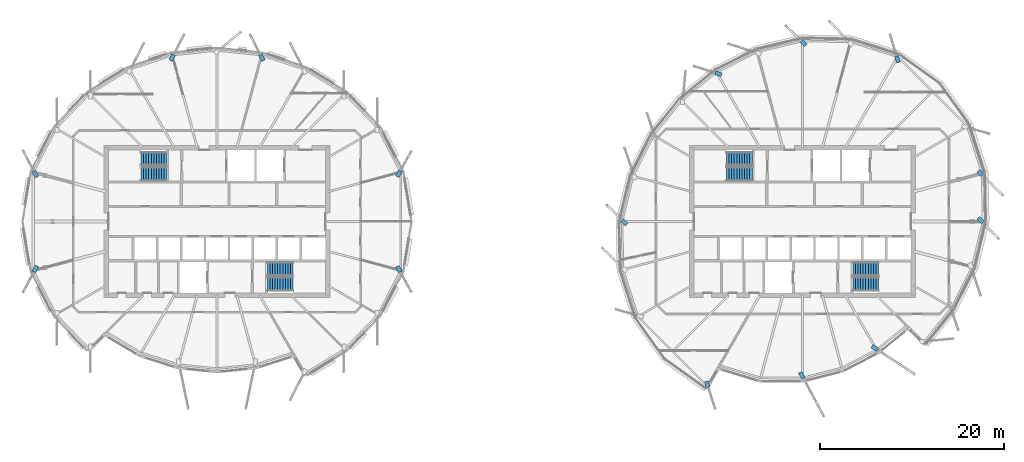
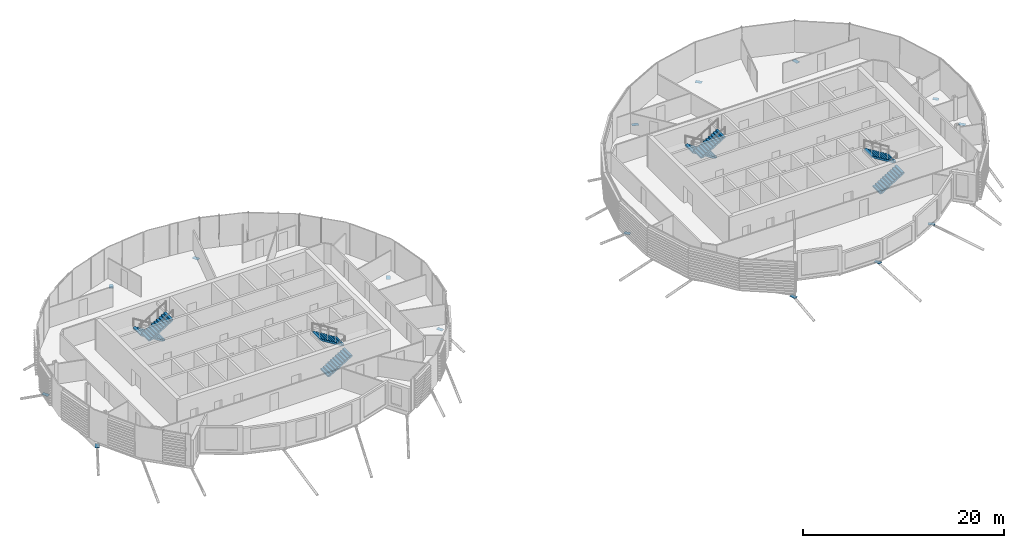
# One storey, part 23 of 38: 15 discrete accessories, 8 stair flights, 4 elements without a shape of their own.
"""IFC4 building model written with IfcOpenShell, lengths in metres."""

from ifc_helpers import new_model, si_unit, direction, frame, origin, origin_2d, place, context, subcontext, project, spatial, polyline, rectangle, outline, extrude, material, material_profile, profile_set, type_object, element, aggregate, save


model = new_model("IFC4")

# Units and contexts
model_context = context("Model", 3, precision=1e-05, world=origin(), true_north=direction((0.0, 1.0)))
body_context = subcontext(model_context, "Body", "Model", "MODEL_VIEW")
ifc_project = project(units=[si_unit("LENGTHUNIT", "METRE"), si_unit("AREAUNIT", "SQUARE_METRE"), si_unit("VOLUMEUNIT", "CUBIC_METRE"), si_unit("PLANEANGLEUNIT", "RADIAN"), si_unit("MASSUNIT", "GRAM", prefix="KILO")], contexts=[model_context])

# Site, building, storey
site_placement = place(None, origin())
site = spatial("IfcSite", under=ifc_project, at=site_placement, CompositionType="ELEMENT")
building_placement = place(site_placement, origin())
building = spatial("IfcBuilding", under=site, at=building_placement, Name="Rimbun Link Towers", CompositionType="ELEMENT")
storey_placement = place(building_placement, frame((0.0, 0.0, 218.10009765625)))
storey = spatial("IfcBuildingStorey", under=building, at=storey_placement, Name="L53", CompositionType="ELEMENT", Elevation=218.10009765625)

# Stair, stair flights
ifc_material_1 = material(Name="Concrete C40/50", Category="concrete")
stair_type = type_object("IfcStairType", Name="Exit stair 3800 rise", PredefinedType="HALF_TURN_STAIR", material=ifc_material_1)
stair_1_placement = place(storey_placement, origin())
stair_1 = element("IfcStair", 1, at=stair_1_placement, inside=storey, type_object=stair_type, Name="L53 EXIT STAIR A", PredefinedType="HALF_TURN_STAIR")
ifc_material_2 = material(Name="Concrete C40/50", Category="concrete")
stair_flight_type = type_object("IfcStairFlightType", Name="Exit stair flight 3800 rise", PredefinedType="STRAIGHT", material=ifc_material_2)
stair_flight_1_placement = place(storey_placement, frame((-37.199951171875, 6.800048828125, 0.0), z_axis=(0.0, 0.0, 1.0), x_axis=(-1.0, 0.0, 0.0)))
stair_flight_1 = element("IfcStairFlight", 2, at=stair_flight_1_placement, type_object=stair_flight_type, Name="ST1 flight 1", NumberOfRisers=11, NumberOfTreads=10, PredefinedType="STRAIGHT", RiserHeight=0.172727273, TreadLength=0.28, context=body_context, shape_type="SweptSolid", body=[
    extrude(outline(polyline([(0.0, 0.0), (0.0, 0.172607421875), (0.280029296875, 0.172607421875), (0.280029296875, 0.345458984375), (0.56005859375, 0.345458984375), (0.56005859375, 0.51806640625), (0.840087890625, 0.51806640625), (0.840087890625, 0.69091796875), (1.1201171875, 0.69091796875), (1.1201171875, 0.863525390625), (1.39990234375, 0.863525390625), (1.39990234375, 1.036376953125), (1.679931640625, 1.036376953125), (1.679931640625, 1.208984375), (1.9599609375, 1.208984375), (1.9599609375, 1.3818359375), (2.239990234375, 1.3818359375), (2.239990234375, 1.554443359375), (2.52001953125, 1.554443359375), (2.52001953125, 1.727294921875), (2.800048828125, 1.727294921875), (2.800048828125, 1.89990234375), (2.800048828125, 1.551025390625), (0.280029296875, 0.0), (0.0, 0.0)])), frame((0.0, 0.75, 0.0), z_axis=(0.0, -1.0, 0.0), x_axis=(1.0, 0.0, 0.0)), (0.0, 0.0, 1.0), 1.5),
])
stair_flight_2_placement = place(storey_placement, frame((-40.0, 5.14990234375, 1.89990234375), z_axis=(0.0, 0.0, 1.0), x_axis=(1.0, 0.0, 0.0)))
stair_flight_2 = element("IfcStairFlight", 3, at=stair_flight_2_placement, type_object=stair_flight_type, Name="ST1 flight 2", NumberOfRisers=11, NumberOfTreads=10, PredefinedType="STRAIGHT", RiserHeight=0.172727273, TreadLength=0.28, context=body_context, shape_type="SweptSolid", body=[
    extrude(outline(polyline([(0.0, 0.0), (0.0, 0.172607421875), (0.280029296875, 0.172607421875), (0.280029296875, 0.345458984375), (0.56005859375, 0.345458984375), (0.56005859375, 0.51806640625), (0.840087890625, 0.51806640625), (0.840087890625, 0.69091796875), (1.1201171875, 0.69091796875), (1.1201171875, 0.863525390625), (1.39990234375, 0.863525390625), (1.39990234375, 1.036376953125), (1.679931640625, 1.036376953125), (1.679931640625, 1.208984375), (1.9599609375, 1.208984375), (1.9599609375, 1.3818359375), (2.239990234375, 1.3818359375), (2.239990234375, 1.554443359375), (2.52001953125, 1.554443359375), (2.52001953125, 1.727294921875), (2.800048828125, 1.727294921875), (2.800048828125, 1.89990234375), (2.800048828125, 1.551025390625), (0.280029296875, 0.0), (0.0, 0.0)])), frame((0.0, 0.75, 0.0), z_axis=(0.0, -1.0, 0.0), x_axis=(1.0, 0.0, 0.0)), (0.0, 0.0, 1.0), 1.5),
])
aggregate(stair_1, [stair_flight_1, stair_flight_2])

stair_2_placement = place(storey_placement, origin())
stair_2 = element("IfcStair", 4, at=stair_2_placement, inside=storey, type_object=stair_type, Name="L53 EXIT STAIR B", PredefinedType="HALF_TURN_STAIR")
stair_flight_3_placement = place(storey_placement, frame((-26.300048828125, -6.800048828125, 0.0), z_axis=(0.0, 0.0, 1.0), x_axis=(1.0, 0.0, 0.0)))
stair_flight_3 = element("IfcStairFlight", 5, at=stair_flight_3_placement, type_object=stair_flight_type, Name="ST2 flight 1", NumberOfRisers=11, NumberOfTreads=10, PredefinedType="STRAIGHT", RiserHeight=0.172727273, TreadLength=0.28, context=body_context, shape_type="SweptSolid", body=[
    extrude(outline(polyline([(0.0, 0.0), (0.0, 0.172607421875), (0.280029296875, 0.172607421875), (0.280029296875, 0.345458984375), (0.56005859375, 0.345458984375), (0.56005859375, 0.51806640625), (0.840087890625, 0.51806640625), (0.840087890625, 0.69091796875), (1.1201171875, 0.69091796875), (1.1201171875, 0.863525390625), (1.39990234375, 0.863525390625), (1.39990234375, 1.036376953125), (1.679931640625, 1.036376953125), (1.679931640625, 1.208984375), (1.9599609375, 1.208984375), (1.9599609375, 1.3818359375), (2.239990234375, 1.3818359375), (2.239990234375, 1.554443359375), (2.52001953125, 1.554443359375), (2.52001953125, 1.727294921875), (2.800048828125, 1.727294921875), (2.800048828125, 1.89990234375), (2.800048828125, 1.551025390625), (0.280029296875, 0.0), (0.0, 0.0)])), frame((0.0, 0.75, 0.0), z_axis=(0.0, -1.0, 0.0), x_axis=(1.0, 0.0, 0.0)), (0.0, 0.0, 1.0), 1.5),
])
stair_flight_4_placement = place(storey_placement, frame((-23.5, -5.14990234375, 1.89990234375), z_axis=(0.0, 0.0, 1.0), x_axis=(-1.0, 0.0, 0.0)))
stair_flight_4 = element("IfcStairFlight", 6, at=stair_flight_4_placement, type_object=stair_flight_type, Name="ST2 flight 2", NumberOfRisers=11, NumberOfTreads=10, PredefinedType="STRAIGHT", RiserHeight=0.172727273, TreadLength=0.28, context=body_context, shape_type="SweptSolid", body=[
    extrude(outline(polyline([(0.0, 0.0), (0.0, 0.172607421875), (0.280029296875, 0.172607421875), (0.280029296875, 0.345458984375), (0.56005859375, 0.345458984375), (0.56005859375, 0.51806640625), (0.840087890625, 0.51806640625), (0.840087890625, 0.69091796875), (1.1201171875, 0.69091796875), (1.1201171875, 0.863525390625), (1.39990234375, 0.863525390625), (1.39990234375, 1.036376953125), (1.679931640625, 1.036376953125), (1.679931640625, 1.208984375), (1.9599609375, 1.208984375), (1.9599609375, 1.3818359375), (2.239990234375, 1.3818359375), (2.239990234375, 1.554443359375), (2.52001953125, 1.554443359375), (2.52001953125, 1.727294921875), (2.800048828125, 1.727294921875), (2.800048828125, 1.89990234375), (2.800048828125, 1.551025390625), (0.280029296875, 0.0), (0.0, 0.0)])), frame((0.0, 0.75, 0.0), z_axis=(0.0, -1.0, 0.0), x_axis=(1.0, 0.0, 0.0)), (0.0, 0.0, 1.0), 1.5),
])
aggregate(stair_2, [stair_flight_3, stair_flight_4])

stair_3_placement = place(storey_placement, origin())
stair_3 = element("IfcStair", 7, at=stair_3_placement, inside=storey, type_object=stair_type, Name="L53 EXIT STAIR A", PredefinedType="HALF_TURN_STAIR")
stair_flight_5_placement = place(storey_placement, frame((26.300048828125, 6.800048828125, 0.0), z_axis=(0.0, 0.0, 1.0), x_axis=(-1.0, 0.0, 0.0)))
stair_flight_5 = element("IfcStairFlight", 8, at=stair_flight_5_placement, type_object=stair_flight_type, Name="ST3 flight 1", NumberOfRisers=11, NumberOfTreads=10, PredefinedType="STRAIGHT", RiserHeight=0.172727273, TreadLength=0.28, context=body_context, shape_type="SweptSolid", body=[
    extrude(outline(polyline([(0.0, 0.0), (0.0, 0.172607421875), (0.280029296875, 0.172607421875), (0.280029296875, 0.345458984375), (0.56005859375, 0.345458984375), (0.56005859375, 0.51806640625), (0.840087890625, 0.51806640625), (0.840087890625, 0.69091796875), (1.1201171875, 0.69091796875), (1.1201171875, 0.863525390625), (1.39990234375, 0.863525390625), (1.39990234375, 1.036376953125), (1.679931640625, 1.036376953125), (1.679931640625, 1.208984375), (1.9599609375, 1.208984375), (1.9599609375, 1.3818359375), (2.239990234375, 1.3818359375), (2.239990234375, 1.554443359375), (2.52001953125, 1.554443359375), (2.52001953125, 1.727294921875), (2.800048828125, 1.727294921875), (2.800048828125, 1.89990234375), (2.800048828125, 1.551025390625), (0.280029296875, 0.0), (0.0, 0.0)])), frame((0.0, 0.75, 0.0), z_axis=(0.0, -1.0, 0.0), x_axis=(1.0, 0.0, 0.0)), (0.0, 0.0, 1.0), 1.5),
])
stair_flight_6_placement = place(storey_placement, frame((23.5, 5.14990234375, 1.89990234375), z_axis=(0.0, 0.0, 1.0), x_axis=(1.0, 0.0, 0.0)))
stair_flight_6 = element("IfcStairFlight", 9, at=stair_flight_6_placement, type_object=stair_flight_type, Name="ST3 flight 2", NumberOfRisers=11, NumberOfTreads=10, PredefinedType="STRAIGHT", RiserHeight=0.172727273, TreadLength=0.28, context=body_context, shape_type="SweptSolid", body=[
    extrude(outline(polyline([(0.0, 0.0), (0.0, 0.172607421875), (0.280029296875, 0.172607421875), (0.280029296875, 0.345458984375), (0.56005859375, 0.345458984375), (0.56005859375, 0.51806640625), (0.840087890625, 0.51806640625), (0.840087890625, 0.69091796875), (1.1201171875, 0.69091796875), (1.1201171875, 0.863525390625), (1.39990234375, 0.863525390625), (1.39990234375, 1.036376953125), (1.679931640625, 1.036376953125), (1.679931640625, 1.208984375), (1.9599609375, 1.208984375), (1.9599609375, 1.3818359375), (2.239990234375, 1.3818359375), (2.239990234375, 1.554443359375), (2.52001953125, 1.554443359375), (2.52001953125, 1.727294921875), (2.800048828125, 1.727294921875), (2.800048828125, 1.89990234375), (2.800048828125, 1.551025390625), (0.280029296875, 0.0), (0.0, 0.0)])), frame((0.0, 0.75, 0.0), z_axis=(0.0, -1.0, 0.0), x_axis=(1.0, 0.0, 0.0)), (0.0, 0.0, 1.0), 1.5),
])
aggregate(stair_3, [stair_flight_5, stair_flight_6])

stair_4_placement = place(storey_placement, origin())
stair_4 = element("IfcStair", 10, at=stair_4_placement, inside=storey, type_object=stair_type, Name="L53 EXIT STAIR B", PredefinedType="HALF_TURN_STAIR")
stair_flight_7_placement = place(storey_placement, frame((37.199951171875, -6.800048828125, 0.0), z_axis=(0.0, 0.0, 1.0), x_axis=(1.0, 0.0, 0.0)))
stair_flight_7 = element("IfcStairFlight", 11, at=stair_flight_7_placement, type_object=stair_flight_type, Name="ST4 flight 1", NumberOfRisers=11, NumberOfTreads=10, PredefinedType="STRAIGHT", RiserHeight=0.172727273, TreadLength=0.28, context=body_context, shape_type="SweptSolid", body=[
    extrude(outline(polyline([(0.0, 0.0), (0.0, 0.172607421875), (0.280029296875, 0.172607421875), (0.280029296875, 0.345458984375), (0.56005859375, 0.345458984375), (0.56005859375, 0.51806640625), (0.840087890625, 0.51806640625), (0.840087890625, 0.69091796875), (1.1201171875, 0.69091796875), (1.1201171875, 0.863525390625), (1.39990234375, 0.863525390625), (1.39990234375, 1.036376953125), (1.679931640625, 1.036376953125), (1.679931640625, 1.208984375), (1.9599609375, 1.208984375), (1.9599609375, 1.3818359375), (2.239990234375, 1.3818359375), (2.239990234375, 1.554443359375), (2.52001953125, 1.554443359375), (2.52001953125, 1.727294921875), (2.800048828125, 1.727294921875), (2.800048828125, 1.89990234375), (2.800048828125, 1.551025390625), (0.280029296875, 0.0), (0.0, 0.0)])), frame((0.0, 0.75, 0.0), z_axis=(0.0, -1.0, 0.0), x_axis=(1.0, 0.0, 0.0)), (0.0, 0.0, 1.0), 1.5),
])
stair_flight_8_placement = place(storey_placement, frame((40.0, -5.14990234375, 1.89990234375), z_axis=(0.0, 0.0, 1.0), x_axis=(-1.0, 0.0, 0.0)))
stair_flight_8 = element("IfcStairFlight", 12, at=stair_flight_8_placement, type_object=stair_flight_type, Name="ST4 flight 2", NumberOfRisers=11, NumberOfTreads=10, PredefinedType="STRAIGHT", RiserHeight=0.172727273, TreadLength=0.28, context=body_context, shape_type="SweptSolid", body=[
    extrude(outline(polyline([(0.0, 0.0), (0.0, 0.172607421875), (0.280029296875, 0.172607421875), (0.280029296875, 0.345458984375), (0.56005859375, 0.345458984375), (0.56005859375, 0.51806640625), (0.840087890625, 0.51806640625), (0.840087890625, 0.69091796875), (1.1201171875, 0.69091796875), (1.1201171875, 0.863525390625), (1.39990234375, 0.863525390625), (1.39990234375, 1.036376953125), (1.679931640625, 1.036376953125), (1.679931640625, 1.208984375), (1.9599609375, 1.208984375), (1.9599609375, 1.3818359375), (2.239990234375, 1.3818359375), (2.239990234375, 1.554443359375), (2.52001953125, 1.554443359375), (2.52001953125, 1.727294921875), (2.800048828125, 1.727294921875), (2.800048828125, 1.89990234375), (2.800048828125, 1.551025390625), (0.280029296875, 0.0), (0.0, 0.0)])), frame((0.0, 0.75, 0.0), z_axis=(0.0, -1.0, 0.0), x_axis=(1.0, 0.0, 0.0)), (0.0, 0.0, 1.0), 1.5),
])
aggregate(stair_4, [stair_flight_7, stair_flight_8])

# Discrete accessories
ifc_material_3 = material(Name="Steel S355J2H", Category="steel")
ifc_material_profile = material_profile(ifc_material_3, rectangle(XDim=0.43310546875, YDim=0.43310546875, at=origin_2d()), Name="PL 433x433")
ifc_profile_set = profile_set([ifc_material_profile], Name="Steel S355J2H")
discrete_accessory_type = type_object("IfcDiscreteAccessoryType", Name="Link head end plate 433X20", PredefinedType="BRACKET", material=ifc_profile_set)
discrete_accessory_1_placement = place(storey_placement, frame((0.0, 0.0, -0.613525390625)))
element("IfcDiscreteAccessory", 13, at=discrete_accessory_1_placement, inside=storey, type_object=discrete_accessory_type, Name="Link head end plate T1 L53 01", PredefinedType="BRACKET", context=body_context, shape_type="SweptSolid", body=[
    extrude(outline(polyline([(-12.01025390625, 4.7646484375), (-11.684814453125, 5.359619140625), (-12.064697265625, 5.5673828125), (-12.39013671875, 4.972412109375), (-12.01025390625, 4.7646484375)])), origin(), (0.0, 0.0, 1.0), 0.02001953125),
])
discrete_accessory_2_placement = place(storey_placement, frame((0.0, 0.0, -0.693115234375)))
element("IfcDiscreteAccessory", 14, at=discrete_accessory_2_placement, inside=storey, type_object=discrete_accessory_type, Name="Link head end plate T1 L53 05", PredefinedType="BRACKET", context=body_context, shape_type="SweptSolid", body=[
    extrude(outline(polyline([(-26.527587890625, 17.560302734375), (-26.843994140625, 18.170654296875), (-27.228271484375, 17.971435546875), (-26.912109375, 17.361083984375), (-26.527587890625, 17.560302734375)])), origin(), (0.0, 0.0, 1.0), 0.02001953125),
])
discrete_accessory_3_placement = place(storey_placement, frame((0.0, 0.0, -0.693115234375)))
element("IfcDiscreteAccessory", 15, at=discrete_accessory_3_placement, inside=storey, type_object=discrete_accessory_type, Name="Link head end plate T1 L53 07", PredefinedType="BRACKET", context=body_context, shape_type="SweptSolid", body=[
    extrude(outline(polyline([(-36.587890625, 17.361083984375), (-36.271728515625, 17.971435546875), (-36.656005859375, 18.170654296875), (-36.972412109375, 17.560302734375), (-36.587890625, 17.361083984375)])), origin(), (0.0, 0.0, 1.0), 0.02001953125),
])
discrete_accessory_4_placement = place(storey_placement, frame((0.0, 0.0, -1.000732421875)))
element("IfcDiscreteAccessory", 16, at=discrete_accessory_4_placement, inside=storey, type_object=discrete_accessory_type, Name="Link head end plate T1 L53 11", PredefinedType="BRACKET", context=body_context, shape_type="SweptSolid", body=[
    extrude(outline(polyline([(-51.0908203125, 4.91796875), (-51.429931640625, 5.563720703125), (-51.813232421875, 5.3623046875), (-51.47412109375, 4.716552734375), (-51.0908203125, 4.91796875)])), origin(), (0.0, 0.0, 1.0), 0.02001953125),
])
discrete_accessory_5_placement = place(storey_placement, frame((0.0, 0.0, -1.000732421875)))
element("IfcDiscreteAccessory", 17, at=discrete_accessory_5_placement, inside=storey, type_object=discrete_accessory_type, Name="Link head end plate T1 L53 13", PredefinedType="BRACKET", context=body_context, shape_type="SweptSolid", body=[
    extrude(outline(polyline([(-51.47412109375, -4.716552734375), (-51.813232421875, -5.3623046875), (-51.429931640625, -5.563720703125), (-51.0908203125, -4.91796875), (-51.47412109375, -4.716552734375)])), origin(), (0.0, 0.0, 1.0), 0.02001953125),
])
discrete_accessory_6_placement = place(storey_placement, frame((0.0, 0.0, -0.613525390625)))
element("IfcDiscreteAccessory", 18, at=discrete_accessory_6_placement, inside=storey, type_object=discrete_accessory_type, Name="Link head end plate T1 L53 23", PredefinedType="BRACKET", context=body_context, shape_type="SweptSolid", body=[
    extrude(outline(polyline([(-12.39013671875, -4.972412109375), (-12.064697265625, -5.5673828125), (-11.684814453125, -5.359619140625), (-12.01025390625, -4.7646484375), (-12.39013671875, -4.972412109375)])), origin(), (0.0, 0.0, 1.0), 0.02001953125),
])
discrete_accessory_7_placement = place(storey_placement, frame((0.0, 0.0, -0.7626953125)))
element("IfcDiscreteAccessory", 19, at=discrete_accessory_7_placement, inside=storey, type_object=discrete_accessory_type, Name="Link head end plate T2 L53 01", PredefinedType="BRACKET", context=body_context, shape_type="SweptSolid", body=[
    extrude(outline(polyline([(42.34716796875, 17.311279296875), (42.147216796875, 17.978271484375), (41.732421875, 17.85400390625), (41.932373046875, 17.18701171875), (42.34716796875, 17.311279296875)])), origin(), (0.0, 0.0, 1.0), 0.02001953125),
])
discrete_accessory_8_placement = place(storey_placement, frame((0.0, 0.0, -0.7626953125)))
element("IfcDiscreteAccessory", 20, at=discrete_accessory_8_placement, inside=storey, type_object=discrete_accessory_type, Name="Link head end plate T2 L53 03", PredefinedType="BRACKET", context=body_context, shape_type="SweptSolid", body=[
    extrude(outline(polyline([(32.2587890625, 19.240478515625), (31.771240234375, 19.72216796875), (31.467041015625, 19.4140625), (31.954345703125, 18.9326171875), (32.2587890625, 19.240478515625)])), origin(), (0.0, 0.0, 1.0), 0.02001953125),
])
discrete_accessory_9_placement = place(storey_placement, frame((0.0, 0.0, -0.693115234375)))
element("IfcDiscreteAccessory", 21, at=discrete_accessory_9_placement, inside=storey, type_object=discrete_accessory_type, Name="Link head end plate T2 L53 05", PredefinedType="BRACKET", context=body_context, shape_type="SweptSolid", body=[
    extrude(outline(polyline([(23.02587890625, 16.109619140625), (22.37060546875, 16.31787109375), (22.239501953125, 15.905029296875), (22.894775390625, 15.697021484375), (23.02587890625, 16.109619140625)])), origin(), (0.0, 0.0, 1.0), 0.02001953125),
])
discrete_accessory_10_placement = place(storey_placement, frame((0.0, 0.0, -0.56640625)))
element("IfcDiscreteAccessory", 22, at=discrete_accessory_10_placement, inside=storey, type_object=discrete_accessory_type, Name="Link head end plate T2 L53 09", PredefinedType="BRACKET", context=body_context, shape_type="SweptSolid", body=[
    extrude(outline(polyline([(12.80224609375, -0.18310546875), (12.33251953125, 0.2841796875), (12.027099609375, -0.02294921875), (12.4970703125, -0.490234375), (12.80224609375, -0.18310546875)])), origin(), (0.0, 0.0, 1.0), 0.02001953125),
])
discrete_accessory_11_placement = place(storey_placement, frame((0.0, 0.0, -0.7626953125)))
element("IfcDiscreteAccessory", 23, at=discrete_accessory_11_placement, inside=storey, type_object=discrete_accessory_type, Name="Link head end plate T2 L53 13", PredefinedType="BRACKET", context=body_context, shape_type="SweptSolid", body=[
    extrude(outline(polyline([(21.099853515625, -17.40771484375), (21.312255859375, -18.06201171875), (21.72412109375, -17.92822265625), (21.51171875, -17.27392578125), (21.099853515625, -17.40771484375)])), origin(), (0.0, 0.0, 1.0), 0.02001953125),
])
discrete_accessory_12_placement = place(storey_placement, frame((0.0, 0.0, -0.7626953125)))
element("IfcDiscreteAccessory", 24, at=discrete_accessory_12_placement, inside=storey, type_object=discrete_accessory_type, Name="Link head end plate T2 L53 15", PredefinedType="BRACKET", context=body_context, shape_type="SweptSolid", body=[
    extrude(outline(polyline([(31.30859375, -16.472900390625), (31.64501953125, -17.099609375), (32.026611328125, -16.89501953125), (31.690185546875, -16.268310546875), (31.30859375, -16.472900390625)])), origin(), (0.0, 0.0, 1.0), 0.02001953125),
])
discrete_accessory_13_placement = place(storey_placement, frame((0.0, 0.0, -0.693115234375)))
element("IfcDiscreteAccessory", 25, at=discrete_accessory_13_placement, inside=storey, type_object=discrete_accessory_type, Name="Link head end plate T2 L53 17", PredefinedType="BRACKET", context=body_context, shape_type="SweptSolid", body=[
    extrude(outline(polyline([(39.15283203125, -13.68994140625), (39.751708984375, -14.084228515625), (39.989990234375, -13.72265625), (39.390869140625, -13.328125), (39.15283203125, -13.68994140625)])), origin(), (0.0, 0.0, 1.0), 0.02001953125),
])
discrete_accessory_14_placement = place(storey_placement, frame((0.0, 0.0, -1.000732421875)))
element("IfcDiscreteAccessory", 26, at=discrete_accessory_14_placement, inside=storey, type_object=discrete_accessory_type, Name="Link head end plate T2 L53 21", PredefinedType="BRACKET", context=body_context, shape_type="SweptSolid", body=[
    extrude(outline(polyline([(50.661865234375, 0.2333984375), (51.16015625, -0.28173828125), (51.471435546875, 0.019287109375), (50.972900390625, 0.534423828125), (50.661865234375, 0.2333984375)])), origin(), (0.0, 0.0, 1.0), 0.02001953125),
])
discrete_accessory_15_placement = place(storey_placement, frame((0.0, 0.0, -1.000732421875)))
element("IfcDiscreteAccessory", 27, at=discrete_accessory_15_placement, inside=storey, type_object=discrete_accessory_type, Name="Link head end plate T2 L53 22", PredefinedType="BRACKET", context=body_context, shape_type="SweptSolid", body=[
    extrude(outline(polyline([(50.646484375, 5.315673828125), (51.073974609375, 4.895263671875), (51.377685546875, 5.203857421875), (50.9501953125, 5.624267578125), (50.646484375, 5.315673828125)])), origin(), (0.0, 0.0, 1.0), 0.02001953125),
])

save(model, "model.ifc")
